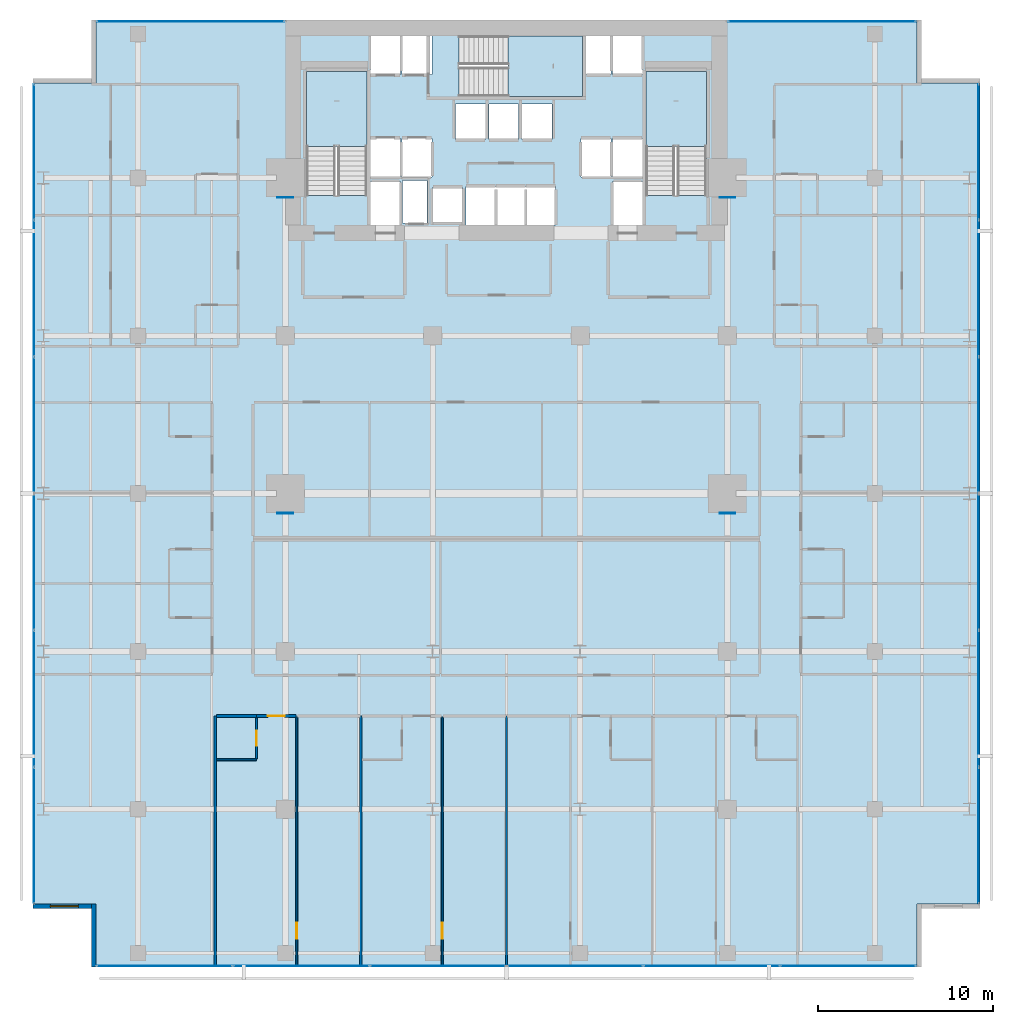
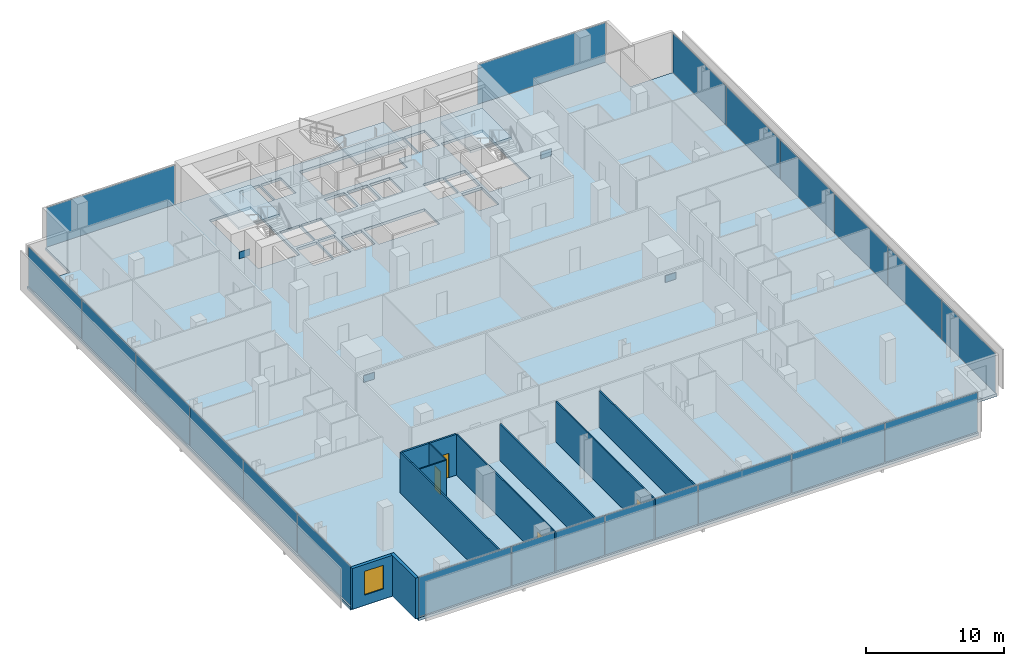
# One storey, part 32 of 40: 24 plates, 11 walls, 4 doors, 4 slabs, 1 window, 5 openings, 8 elements without a shape of their own.
"""IFC4 building model written with IfcOpenShell, lengths in metres."""

import ifcopenshell
import ifcopenshell.guid

model = None  # the IFC model being written
_history = None  # IfcOwnerHistory: only IFC2X3 demands one
_inside = {}  # id of a spatial element -> (the spatial element, [elements in it])
_under = {}  # id of a project, library or spatial element -> (it, [spatial elements below it])
_declared = {}  # id of a project -> (the project, [libraries it declares])
_typed = {}  # id of a type object -> (the type object, [elements of that type])
_made_of = {}  # id of a material, layer set ... -> (it, [elements and type objects made of it])


def new_model(schema):
    """Start an empty IFC model of exactly this schema.

    Asked for "IFC4X3", IfcOpenShell would pick the latest addendum, in which some entities
    have other attributes; the version numbers below select the first issue.
    IFC2X3 requires an IfcOwnerHistory on every rooted entity: one is made here for all.
    """
    global model, _history
    if schema == "IFC4X3":
        model = ifcopenshell.file(schema_version=(4, 3, 0, 0))
    else:
        model = ifcopenshell.file(schema=schema)
    _inside.clear()
    _under.clear()
    _declared.clear()
    _typed.clear()
    _made_of.clear()
    _history = None
    if model.schema == "IFC2X3":
        org = make("IfcOrganization", Name="unknown")
        user = make(
            "IfcPersonAndOrganization",
            ThePerson=make("IfcPerson", FamilyName="unknown"),
            TheOrganization=org,
        )
        app = make(
            "IfcApplication",
            ApplicationDeveloper=org,
            Version="unknown",
            ApplicationFullName="unknown",
            ApplicationIdentifier="unknown",
        )
        _history = make(
            "IfcOwnerHistory",
            OwningUser=user,
            OwningApplication=app,
            ChangeAction="ADDED",
            CreationDate=0,
        )
    return model


def make(cls, **values):
    """One entity of the class cls with the attributes given. An attribute that is None is left unset."""
    return model.create_entity(
        cls, **{name: value for name, value in values.items() if value is not None}
    )


def rooted(cls, **values):
    """An entity with a GlobalId (a new one), such as an element, a storey or a relation."""
    return make(cls, GlobalId=ifcopenshell.guid.new(), OwnerHistory=_history, **values)


def si_unit(unit_type, name, prefix=None):
    """IfcSIUnit, for example si_unit("LENGTHUNIT", "METRE", prefix="MILLI")."""
    return make("IfcSIUnit", UnitType=unit_type, Prefix=prefix, Name=name)


def assignment(units):
    """IfcUnitAssignment: the units of a project."""
    return None if units is None else make("IfcUnitAssignment", Units=units)


def point(xyz):
    """IfcCartesianPoint."""
    return None if xyz is None else make("IfcCartesianPoint", Coordinates=xyz)


def direction(xyz):
    """IfcDirection."""
    return None if xyz is None else make("IfcDirection", DirectionRatios=xyz)


def frame(location, z_axis=None, x_axis=None):
    """IfcAxis2Placement3D, a coordinate frame: its origin and axes. An axis left out is left unset."""
    return make(
        "IfcAxis2Placement3D",
        Location=point(location),
        Axis=direction(z_axis),
        RefDirection=direction(x_axis),
    )


def frame_2d(location, x_axis=None):
    """IfcAxis2Placement2D, a coordinate frame in the plane: its origin and x axis."""
    return make(
        "IfcAxis2Placement2D", Location=point(location), RefDirection=direction(x_axis)
    )


def origin():
    """The frame at (0, 0, 0) with its axes left unset."""
    return frame((0.0, 0.0, 0.0))


def origin_2d():
    """The frame at (0, 0) in the plane with its x axis left unset."""
    return frame_2d((0.0, 0.0))


def place(relative_to, where):
    """IfcLocalPlacement: puts the frame where relative to a parent placement (None: the world)."""
    return make(
        "IfcLocalPlacement", PlacementRelTo=relative_to, RelativePlacement=where
    )


def context(
    kind, dimensions, precision=None, world=None, true_north=None, identifier=None
):
    """IfcGeometricRepresentationContext, for example the 3D "Model" context."""
    return make(
        "IfcGeometricRepresentationContext",
        ContextIdentifier=identifier,
        ContextType=kind,
        CoordinateSpaceDimension=dimensions,
        Precision=precision,
        WorldCoordinateSystem=world,
        TrueNorth=true_north,
    )


def subcontext(parent, identifier, kind, view, scale=None):
    """IfcGeometricRepresentationSubContext, for example "Body" below "Model"."""
    return make(
        "IfcGeometricRepresentationSubContext",
        ContextIdentifier=identifier,
        ContextType=kind,
        ParentContext=parent,
        TargetScale=scale,
        TargetView=view,
    )


def project(units=None, contexts=None):
    """IfcProject with its units and contexts."""
    return rooted(
        "IfcProject",
        Name="project",
        RepresentationContexts=contexts,
        UnitsInContext=assignment(units),
    )


def spatial(cls, under=None, at=None, **own):
    """A site, building, storey or space (cls), placed at a placement, below another one or the project."""
    s = rooted(cls, ObjectPlacement=at, **own)
    if under is not None:
        _under.setdefault(under.id(), (under, []))[1].append(s)
    return s


def polyline(points):
    """IfcPolyline through the points."""
    return make("IfcPolyline", Points=[point(p) for p in points])


def profile(cls, at=None, kind="AREA", **sizes):
    """A parametric profile (cls). Its sizes go by their IFC names, for example OverallWidth=200.0."""
    return make(cls, ProfileType=kind, Position=at, **sizes)


def rectangle(**sizes):
    """IfcRectangleProfileDef."""
    return profile("IfcRectangleProfileDef", **sizes)


def outline(outer, holes=None, kind="AREA"):
    """IfcArbitraryClosedProfileDef: a profile drawn as a closed curve; with holes, ...WithVoids."""
    if holes is None:
        return make("IfcArbitraryClosedProfileDef", ProfileType=kind, OuterCurve=outer)
    return make(
        "IfcArbitraryProfileDefWithVoids",
        ProfileType=kind,
        OuterCurve=outer,
        InnerCurves=holes,
    )


def extrude(swept, where, along, depth):
    """IfcExtrudedAreaSolid: the profile swept, set in the frame where, extruded along a direction by depth."""
    return make(
        "IfcExtrudedAreaSolid",
        SweptArea=swept,
        Position=where,
        ExtrudedDirection=direction(along),
        Depth=depth,
    )


def shape(context_of_items, identifier, shape_type, items):
    """IfcShapeRepresentation: the items that make up one representation, for example the "Body"."""
    return make(
        "IfcShapeRepresentation",
        ContextOfItems=context_of_items,
        RepresentationIdentifier=identifier,
        RepresentationType=shape_type,
        Items=items,
    )


def material(Name=None, Category=None):
    """IfcMaterial."""
    return make("IfcMaterial", Name=Name, Category=Category)


def layer(
    of_material, thickness, ventilated=None, Name=None, Category=None, Priority=None
):
    """IfcMaterialLayer: one layer of a wall or slab, of a material (None: an air gap)."""
    return make(
        "IfcMaterialLayer",
        Material=of_material,
        LayerThickness=thickness,
        IsVentilated=ventilated,
        Name=Name,
        Category=Category,
        Priority=Priority,
    )


def layer_set(layers, Name=None):
    """IfcMaterialLayerSet."""
    return make("IfcMaterialLayerSet", MaterialLayers=layers, LayerSetName=Name)


def made_of(thing, what):
    """Note that an element or type object is made of a material, layer set ...; save() writes the relation."""
    if what is not None:
        _made_of.setdefault(what.id(), (what, []))[1].append(thing)
    return thing


def type_object(cls, material=None, **own):
    """A type object (cls), such as IfcWallType, which elements share."""
    return made_of(rooted(cls, **own), material)


def element(
    cls,
    number,
    at=None,
    inside=None,
    cuts=None,
    type_object=None,
    material=None,
    context=None,
    identifier="Body",
    shape_type=None,
    held_by="IfcProductDefinitionShape",
    body=None,
    shapes=None,
    **own,
):
    """One element of the class cls, such as IfcWall. Its Tag is "e" and its number.

    at: its placement. inside: the storey or other place that contains it. cuts: it is an
    opening in that element (IfcRelVoidsElement). A single representation is given by context,
    identifier, shape_type and body (its items); several are given by shapes. held_by: the class
    of the entity that holds the representations. save() writes the other relations.
    """
    e = rooted(cls, Tag="e%d" % number, ObjectPlacement=at, **own)
    if body is not None:
        shapes = [shape(context, identifier, shape_type, body)]
    if shapes is not None:
        e.Representation = make(held_by, Representations=shapes)
    if inside is not None:
        _inside.setdefault(inside.id(), (inside, []))[1].append(e)
    if cuts is not None:
        rooted(
            "IfcRelVoidsElement", RelatingBuildingElement=cuts, RelatedOpeningElement=e
        )
    if type_object is not None:
        _typed.setdefault(type_object.id(), (type_object, []))[1].append(e)
    return made_of(e, material)


def fill(opening, filler):
    """IfcRelFillsElement: the door or window that sits in an opening."""
    return rooted(
        "IfcRelFillsElement",
        RelatingOpeningElement=opening,
        RelatedBuildingElement=filler,
    )


def aggregate(whole, parts):
    """IfcRelAggregates: a whole, such as a stair, and the parts it consists of."""
    return rooted("IfcRelAggregates", RelatingObject=whole, RelatedObjects=parts)


def save(model, path):
    """Write the relations noted so far, then the file.

    IfcRelAggregates (storeys below a building ...), IfcRelContainedInSpatialStructure (elements
    in a storey), IfcRelDefinesByType, IfcRelAssociatesMaterial and IfcRelDeclares: one each for
    every whole, place, type object, material and project.
    """
    for whole, parts in _under.values():
        aggregate(whole, parts)
    for where, things in _inside.values():
        rooted(
            "IfcRelContainedInSpatialStructure",
            RelatedElements=things,
            RelatingStructure=where,
        )
    for kind, things in _typed.values():
        rooted("IfcRelDefinesByType", RelatedObjects=things, RelatingType=kind)
    for what, things in _made_of.values():
        rooted("IfcRelAssociatesMaterial", RelatedObjects=things, RelatingMaterial=what)
    for by, libraries in _declared.values():
        rooted("IfcRelDeclares", RelatingContext=by, RelatedDefinitions=libraries)
    model.write(path)


model = new_model("IFC4")

# Units and contexts
model_context = context("Model", 3, precision=1e-05, world=origin(), true_north=direction((0.0, 1.0)))
body_context = subcontext(model_context, "Body", "Model", "MODEL_VIEW")
ifc_project = project(units=[si_unit("LENGTHUNIT", "METRE"), si_unit("AREAUNIT", "SQUARE_METRE"), si_unit("VOLUMEUNIT", "CUBIC_METRE"), si_unit("PLANEANGLEUNIT", "RADIAN"), si_unit("MASSUNIT", "GRAM", prefix="KILO")], contexts=[model_context])

# Site, building, storey
site_placement = place(None, origin())
site = spatial("IfcSite", under=ifc_project, at=site_placement, CompositionType="ELEMENT")
building_placement = place(site_placement, origin())
building = spatial("IfcBuilding", under=site, at=building_placement, Name="Maruvema Waterfront Hotel and Observation Tower", CompositionType="ELEMENT")
storey_placement = place(building_placement, frame((0.0, 0.0, 42.35009765625)))
storey = spatial("IfcBuildingStorey", under=building, at=storey_placement, Name="L09", CompositionType="ELEMENT", Elevation=42.35009765625)

# Slab
ifc_material_1 = material(Name="Concrete C50/60", Category="concrete")
ifc_layer_1 = layer(ifc_material_1, 0.239990234375, Name="Reinforced Concrete Floor Slab 240 mm")
ifc_layer_set_1 = layer_set([ifc_layer_1], Name="Concrete C50/60")
slab_type_1 = type_object("IfcSlabType", Name="Reinforced Concrete Floor Slab 240 mm", PredefinedType="FLOOR", material=ifc_layer_set_1)
slab_1_placement = place(storey_placement, frame((0.0, 0.0, -0.239990234375)))
element("IfcSlab", 1, at=slab_1_placement, inside=storey, type_object=slab_type_1, Name="L09 Structural Floor Slab", PredefinedType="FLOOR", context=body_context, shape_type="SweptSolid", body=[
    extrude(outline(polyline([(14.39990234375, 0.0), (61.199951171875, 0.0), (61.199951171875, 3.60009765625), (64.800048828125, 3.60009765625), (64.800048828125, 50.39990234375), (61.199951171875, 50.39990234375), (61.199951171875, 54.0), (14.39990234375, 54.0), (14.39990234375, 50.39990234375), (10.800048828125, 50.39990234375), (10.800048828125, 3.60009765625), (14.39990234375, 3.60009765625), (14.39990234375, 0.0)]), holes=[polyline([(26.39990234375, 44.00048828125), (26.39990234375, 51.050048828125), (29.85009765625, 51.050048828125), (29.85009765625, 44.00048828125), (26.39990234375, 44.00048828125)]), polyline([(30.050048828125, 44.800048828125), (31.75, 44.800048828125), (31.75, 42.320068359375), (30.050048828125, 42.320068359375), (30.050048828125, 44.800048828125)]), polyline([(31.75, 47.25), (31.75, 45.050048828125), (30.050048828125, 45.050048828125), (30.050048828125, 47.25), (31.75, 47.25)]), polyline([(31.75, 53.10009765625), (31.75, 50.89990234375), (30.050048828125, 50.89990234375), (30.050048828125, 53.10009765625), (31.75, 53.10009765625)]), polyline([(33.280029296875, 44.860107421875), (33.280029296875, 42.43994140625), (31.8798828125, 42.43994140625), (31.8798828125, 44.860107421875), (33.280029296875, 44.860107421875)]), polyline([(31.85009765625, 47.25), (33.550048828125, 47.25), (33.550048828125, 45.050048828125), (31.85009765625, 45.050048828125), (31.85009765625, 47.25)]), polyline([(31.85009765625, 53.10009765625), (33.550048828125, 53.10009765625), (33.550048828125, 50.89990234375), (31.85009765625, 50.89990234375), (31.85009765625, 53.10009765625)]), polyline([(33.60009765625, 44.449951171875), (35.300048828125, 44.449951171875), (35.300048828125, 42.449951171875), (33.60009765625, 42.449951171875), (33.60009765625, 44.449951171875)]), polyline([(34.89990234375, 49.199951171875), (36.60009765625, 49.199951171875), (36.60009765625, 47.199951171875), (34.89990234375, 47.199951171875), (34.89990234375, 49.199951171875)]), polyline([(38.5, 49.199951171875), (38.5, 47.199951171875), (36.800048828125, 47.199951171875), (36.800048828125, 49.199951171875), (38.5, 49.199951171875)]), polyline([(35.5, 44.5), (40.60009765625, 44.5), (40.60009765625, 42.300048828125), (35.5, 42.300048828125), (35.5, 44.5)]), polyline([(43.75, 50.89990234375), (42.14990234375, 50.89990234375), (42.14990234375, 49.64990234375), (35.1005859375, 49.64990234375), (35.1005859375, 53.10009765625), (43.75, 53.10009765625), (43.75, 50.89990234375)]), polyline([(40.39990234375, 49.199951171875), (40.39990234375, 47.199951171875), (38.699951171875, 47.199951171875), (38.699951171875, 49.199951171875), (40.39990234375, 49.199951171875)]), polyline([(43.75, 47.25), (43.75, 45.050048828125), (42.050048828125, 45.050048828125), (42.050048828125, 47.25), (43.75, 47.25)]), polyline([(45.550048828125, 44.800048828125), (45.550048828125, 42.320068359375), (43.85009765625, 42.320068359375), (43.85009765625, 44.800048828125), (45.550048828125, 44.800048828125)]), polyline([(43.85009765625, 47.25), (45.550048828125, 47.25), (45.550048828125, 45.050048828125), (43.85009765625, 45.050048828125), (43.85009765625, 47.25)]), polyline([(45.550048828125, 53.10009765625), (45.550048828125, 50.89990234375), (43.85009765625, 50.89990234375), (43.85009765625, 53.10009765625), (45.550048828125, 53.10009765625)]), polyline([(45.75, 51.050048828125), (49.199951171875, 51.050048828125), (49.199951171875, 44.00048828125), (45.75, 44.00048828125), (45.75, 51.050048828125)])]), origin(), (0.0, 0.0, 1.0), 0.239990234375),
])

# Curtain wall, plates
ifc_material_2 = material(Name="Anodised bronze aluminium and solar-control low-E IGU", Category="aluminium")
ifc_layer_2 = layer(ifc_material_2, 0.159912109375, Name="Zone 1 Bronze Inner Thermal Curtain Wall System CW-02")
ifc_layer_set_2 = layer_set([ifc_layer_2], Name="Anodised bronze aluminium and solar-control low-E IGU")
curtain_wall_type = type_object("IfcCurtainWallType", Name="Zone 1 Bronze Inner Thermal Curtain Wall System CW-02", PredefinedType="USERDEFINED", material=ifc_layer_set_2)
curtain_wall_1_placement = place(storey_placement, origin())
curtain_wall_1 = element("IfcCurtainWall", 2, at=curtain_wall_1_placement, inside=storey, type_object=curtain_wall_type, Name="L09 Curtain Wall CW-L09-S", ObjectType="UNITISED CURTAIN WALL", PredefinedType="USERDEFINED")
ifc_material_3 = material(Name="Laminated low-E solar-control double glazing", Category="glass")
ifc_layer_3 = layer(ifc_material_3, 0.035888671875, Name="Solar Control Double-Glazed Curtain Panel 36 mm")
ifc_layer_set_3 = layer_set([ifc_layer_3], Name="Laminated low-E solar-control double glazing")
plate_type_1 = type_object("IfcPlateType", Name="Solar Control Double-Glazed Curtain Panel 36 mm", PredefinedType="CURTAIN_PANEL", material=ifc_layer_set_3)
plate_1_placement = place(storey_placement, frame((18.31494140625, 0.080078125, 0.06005859375), z_axis=(0.0, 0.0, 1.0), x_axis=(1.0, 0.0, 0.0)))
plate_1 = element("IfcPlate", 3, at=plate_1_placement, type_object=plate_type_1, Name="CW-02 panel 1.1", PredefinedType="CURTAIN_PANEL", context=body_context, shape_type="SweptSolid", body=[
    extrude(rectangle(XDim=7.7099609375, YDim=0.028076171875, at=origin_2d()), origin(), (0.0, 0.0, 1.0), 3.489990234375),
])
plate_2_placement = place(storey_placement, frame((26.10009765625, 0.080078125, 0.06005859375), z_axis=(0.0, 0.0, 1.0), x_axis=(1.0, 0.0, 0.0)))
plate_2 = element("IfcPlate", 4, at=plate_2_placement, type_object=plate_type_1, Name="CW-02 panel 2.1", PredefinedType="CURTAIN_PANEL", context=body_context, shape_type="SweptSolid", body=[
    extrude(rectangle(XDim=7.739990234375, YDim=0.028076171875, at=origin_2d()), origin(), (0.0, 0.0, 1.0), 3.489990234375),
])
plate_3_placement = place(storey_placement, frame((33.89990234375, 0.080078125, 0.06005859375), z_axis=(0.0, 0.0, 1.0), x_axis=(1.0, 0.0, 0.0)))
plate_3 = element("IfcPlate", 5, at=plate_3_placement, type_object=plate_type_1, Name="CW-02 panel 3.1", PredefinedType="CURTAIN_PANEL", context=body_context, shape_type="SweptSolid", body=[
    extrude(rectangle(XDim=7.739990234375, YDim=0.028076171875, at=origin_2d()), origin(), (0.0, 0.0, 1.0), 3.489990234375),
])
plate_4_placement = place(storey_placement, frame((41.699951171875, 0.080078125, 0.06005859375), z_axis=(0.0, 0.0, 1.0), x_axis=(1.0, 0.0, 0.0)))
plate_4 = element("IfcPlate", 6, at=plate_4_placement, type_object=plate_type_1, Name="CW-02 panel 4.1", PredefinedType="CURTAIN_PANEL", context=body_context, shape_type="SweptSolid", body=[
    extrude(rectangle(XDim=7.739990234375, YDim=0.028076171875, at=origin_2d()), origin(), (0.0, 0.0, 1.0), 3.489990234375),
])
plate_5_placement = place(storey_placement, frame((49.5, 0.080078125, 0.06005859375), z_axis=(0.0, 0.0, 1.0), x_axis=(1.0, 0.0, 0.0)))
plate_5 = element("IfcPlate", 7, at=plate_5_placement, type_object=plate_type_1, Name="CW-02 panel 5.1", PredefinedType="CURTAIN_PANEL", context=body_context, shape_type="SweptSolid", body=[
    extrude(rectangle(XDim=7.739990234375, YDim=0.028076171875, at=origin_2d()), origin(), (0.0, 0.0, 1.0), 3.489990234375),
])
plate_6_placement = place(storey_placement, frame((57.284912109375, 0.080078125, 0.06005859375), z_axis=(0.0, 0.0, 1.0), x_axis=(1.0, 0.0, 0.0)))
plate_6 = element("IfcPlate", 8, at=plate_6_placement, type_object=plate_type_1, Name="CW-02 panel 6.1", PredefinedType="CURTAIN_PANEL", context=body_context, shape_type="SweptSolid", body=[
    extrude(rectangle(XDim=7.7099609375, YDim=0.028076171875, at=origin_2d()), origin(), (0.0, 0.0, 1.0), 3.489990234375),
])
aggregate(curtain_wall_1, [plate_1, plate_2, plate_3, plate_4, plate_5, plate_6])

curtain_wall_2_placement = place(storey_placement, origin())
curtain_wall_2 = element("IfcCurtainWall", 9, at=curtain_wall_2_placement, inside=storey, type_object=curtain_wall_type, Name="L09 Curtain Wall CW-L09-E", ObjectType="UNITISED CURTAIN WALL", PredefinedType="USERDEFINED")
plate_7_placement = place(storey_placement, frame((64.719970703125, 7.514892578125, 0.06005859375), z_axis=(0.0, 0.0, 1.0), x_axis=(0.0, 1.0, 0.0)))
plate_7 = element("IfcPlate", 10, at=plate_7_placement, type_object=plate_type_1, Name="CW-02 panel 1.1", PredefinedType="CURTAIN_PANEL", context=body_context, shape_type="SweptSolid", body=[
    extrude(rectangle(XDim=7.7099609375, YDim=0.028076171875, at=origin_2d()), origin(), (0.0, 0.0, 1.0), 3.489990234375),
])
plate_8_placement = place(storey_placement, frame((64.719970703125, 15.300048828125, 0.06005859375), z_axis=(0.0, 0.0, 1.0), x_axis=(0.0, 1.0, 0.0)))
plate_8 = element("IfcPlate", 11, at=plate_8_placement, type_object=plate_type_1, Name="CW-02 panel 2.1", PredefinedType="CURTAIN_PANEL", context=body_context, shape_type="SweptSolid", body=[
    extrude(rectangle(XDim=7.739990234375, YDim=0.028076171875, at=origin_2d()), origin(), (0.0, 0.0, 1.0), 3.489990234375),
])
plate_9_placement = place(storey_placement, frame((64.719970703125, 23.10009765625, 0.06005859375), z_axis=(0.0, 0.0, 1.0), x_axis=(0.0, 1.0, 0.0)))
plate_9 = element("IfcPlate", 12, at=plate_9_placement, type_object=plate_type_1, Name="CW-02 panel 3.1", PredefinedType="CURTAIN_PANEL", context=body_context, shape_type="SweptSolid", body=[
    extrude(rectangle(XDim=7.739990234375, YDim=0.028076171875, at=origin_2d()), origin(), (0.0, 0.0, 1.0), 3.489990234375),
])
plate_10_placement = place(storey_placement, frame((64.719970703125, 30.89990234375, 0.06005859375), z_axis=(0.0, 0.0, 1.0), x_axis=(0.0, 1.0, 0.0)))
plate_10 = element("IfcPlate", 13, at=plate_10_placement, type_object=plate_type_1, Name="CW-02 panel 4.1", PredefinedType="CURTAIN_PANEL", context=body_context, shape_type="SweptSolid", body=[
    extrude(rectangle(XDim=7.739990234375, YDim=0.028076171875, at=origin_2d()), origin(), (0.0, 0.0, 1.0), 3.489990234375),
])
plate_11_placement = place(storey_placement, frame((64.719970703125, 38.699951171875, 0.06005859375), z_axis=(0.0, 0.0, 1.0), x_axis=(0.0, 1.0, 0.0)))
plate_11 = element("IfcPlate", 14, at=plate_11_placement, type_object=plate_type_1, Name="CW-02 panel 5.1", PredefinedType="CURTAIN_PANEL", context=body_context, shape_type="SweptSolid", body=[
    extrude(rectangle(XDim=7.739990234375, YDim=0.028076171875, at=origin_2d()), origin(), (0.0, 0.0, 1.0), 3.489990234375),
])
plate_12_placement = place(storey_placement, frame((64.719970703125, 46.485107421875, 0.06005859375), z_axis=(0.0, 0.0, 1.0), x_axis=(0.0, 1.0, 0.0)))
plate_12 = element("IfcPlate", 15, at=plate_12_placement, type_object=plate_type_1, Name="CW-02 panel 6.1", PredefinedType="CURTAIN_PANEL", context=body_context, shape_type="SweptSolid", body=[
    extrude(rectangle(XDim=7.7099609375, YDim=0.028076171875, at=origin_2d()), origin(), (0.0, 0.0, 1.0), 3.489990234375),
])
aggregate(curtain_wall_2, [plate_7, plate_8, plate_9, plate_10, plate_11, plate_12])

curtain_wall_3_placement = place(storey_placement, origin())
curtain_wall_3 = element("IfcCurtainWall", 16, at=curtain_wall_3_placement, inside=storey, type_object=curtain_wall_type, Name="L09 Curtain Wall CW-L09-W", ObjectType="UNITISED CURTAIN WALL", PredefinedType="USERDEFINED")
plate_13_placement = place(storey_placement, frame((10.8798828125, 46.485107421875, 0.06005859375), z_axis=(0.0, 0.0, 1.0), x_axis=(0.0, -1.0, 0.0)))
plate_13 = element("IfcPlate", 17, at=plate_13_placement, type_object=plate_type_1, Name="CW-02 panel 1.1", PredefinedType="CURTAIN_PANEL", context=body_context, shape_type="SweptSolid", body=[
    extrude(rectangle(XDim=7.7099609375, YDim=0.028076171875, at=origin_2d()), origin(), (0.0, 0.0, 1.0), 3.489990234375),
])
plate_14_placement = place(storey_placement, frame((10.8798828125, 38.699951171875, 0.06005859375), z_axis=(0.0, 0.0, 1.0), x_axis=(0.0, -1.0, 0.0)))
plate_14 = element("IfcPlate", 18, at=plate_14_placement, type_object=plate_type_1, Name="CW-02 panel 2.1", PredefinedType="CURTAIN_PANEL", context=body_context, shape_type="SweptSolid", body=[
    extrude(rectangle(XDim=7.739990234375, YDim=0.028076171875, at=origin_2d()), origin(), (0.0, 0.0, 1.0), 3.489990234375),
])
plate_15_placement = place(storey_placement, frame((10.8798828125, 30.89990234375, 0.06005859375), z_axis=(0.0, 0.0, 1.0), x_axis=(0.0, -1.0, 0.0)))
plate_15 = element("IfcPlate", 19, at=plate_15_placement, type_object=plate_type_1, Name="CW-02 panel 3.1", PredefinedType="CURTAIN_PANEL", context=body_context, shape_type="SweptSolid", body=[
    extrude(rectangle(XDim=7.739990234375, YDim=0.028076171875, at=origin_2d()), origin(), (0.0, 0.0, 1.0), 3.489990234375),
])
plate_16_placement = place(storey_placement, frame((10.8798828125, 23.10009765625, 0.06005859375), z_axis=(0.0, 0.0, 1.0), x_axis=(0.0, -1.0, 0.0)))
plate_16 = element("IfcPlate", 20, at=plate_16_placement, type_object=plate_type_1, Name="CW-02 panel 4.1", PredefinedType="CURTAIN_PANEL", context=body_context, shape_type="SweptSolid", body=[
    extrude(rectangle(XDim=7.739990234375, YDim=0.028076171875, at=origin_2d()), origin(), (0.0, 0.0, 1.0), 3.489990234375),
])
plate_17_placement = place(storey_placement, frame((10.8798828125, 15.300048828125, 0.06005859375), z_axis=(0.0, 0.0, 1.0), x_axis=(0.0, -1.0, 0.0)))
plate_17 = element("IfcPlate", 21, at=plate_17_placement, type_object=plate_type_1, Name="CW-02 panel 5.1", PredefinedType="CURTAIN_PANEL", context=body_context, shape_type="SweptSolid", body=[
    extrude(rectangle(XDim=7.739990234375, YDim=0.028076171875, at=origin_2d()), origin(), (0.0, 0.0, 1.0), 3.489990234375),
])
plate_18_placement = place(storey_placement, frame((10.8798828125, 7.514892578125, 0.06005859375), z_axis=(0.0, 0.0, 1.0), x_axis=(0.0, -1.0, 0.0)))
plate_18 = element("IfcPlate", 22, at=plate_18_placement, type_object=plate_type_1, Name="CW-02 panel 6.1", PredefinedType="CURTAIN_PANEL", context=body_context, shape_type="SweptSolid", body=[
    extrude(rectangle(XDim=7.7099609375, YDim=0.028076171875, at=origin_2d()), origin(), (0.0, 0.0, 1.0), 3.489990234375),
])
aggregate(curtain_wall_3, [plate_13, plate_14, plate_15, plate_16, plate_17, plate_18])

# Curtain wall, plate
curtain_wall_4_placement = place(storey_placement, origin())
curtain_wall_4 = element("IfcCurtainWall", 23, at=curtain_wall_4_placement, inside=storey, type_object=curtain_wall_type, Name="L09 Curtain Wall CW-L09-NW", ObjectType="UNITISED CURTAIN WALL", PredefinedType="USERDEFINED")
plate_19_placement = place(storey_placement, frame((19.800048828125, 53.919921875, 0.06005859375), z_axis=(0.0, 0.0, 1.0), x_axis=(-1.0, 0.0, 0.0)))
plate_19 = element("IfcPlate", 24, at=plate_19_placement, type_object=plate_type_1, Name="CW-02 panel 1.1", PredefinedType="CURTAIN_PANEL", context=body_context, shape_type="SweptSolid", body=[
    extrude(rectangle(XDim=10.679931640625, YDim=0.028076171875, at=origin_2d()), origin(), (0.0, 0.0, 1.0), 3.489990234375),
])
aggregate(curtain_wall_4, [plate_19])

curtain_wall_5_placement = place(storey_placement, origin())
curtain_wall_5 = element("IfcCurtainWall", 25, at=curtain_wall_5_placement, inside=storey, type_object=curtain_wall_type, Name="L09 Curtain Wall CW-L09-NE", ObjectType="UNITISED CURTAIN WALL", PredefinedType="USERDEFINED")
plate_20_placement = place(storey_placement, frame((55.800048828125, 53.919921875, 0.06005859375), z_axis=(0.0, 0.0, 1.0), x_axis=(-1.0, 0.0, 0.0)))
plate_20 = element("IfcPlate", 26, at=plate_20_placement, type_object=plate_type_1, Name="CW-02 panel 1.1", PredefinedType="CURTAIN_PANEL", context=body_context, shape_type="SweptSolid", body=[
    extrude(rectangle(XDim=10.679931640625, YDim=0.028076171875, at=origin_2d()), origin(), (0.0, 0.0, 1.0), 3.489990234375),
])
aggregate(curtain_wall_5, [plate_20])

# Stair, slab
ifc_material_4 = material(Name="Concrete C50/60", Category="concrete")
stair_type = type_object("IfcStairType", Name="Dogleg Exit Stair 1650 mm (22R x 175.0 mm)", PredefinedType="HALF_TURN_STAIR", material=ifc_material_4)
stair_1_placement = place(storey_placement, origin())
stair_1 = element("IfcStair", 27, at=stair_1_placement, inside=storey, type_object=stair_type, Name="L09 ST-01", PredefinedType="HALF_TURN_STAIR")
ifc_material_5 = material(Name="Concrete C50/60", Category="concrete")
ifc_layer_4 = layer(ifc_material_5, 0.219970703125, Name="Stair Concrete Landing Slab 220 mm")
ifc_layer_set_4 = layer_set([ifc_layer_4], Name="Concrete C50/60")
slab_type_2 = type_object("IfcSlabType", Name="Stair Concrete Landing Slab 220 mm", PredefinedType="LANDING", material=ifc_layer_set_4)
slab_2_placement = place(storey_placement, frame((0.0, 0.0, 1.704833984375)))
slab_2 = element("IfcSlab", 28, at=slab_2_placement, type_object=slab_type_2, Name="ST-01 landing 1", PredefinedType="LANDING", context=body_context, shape_type="SweptSolid", body=[
    extrude(outline(polyline([(29.85009765625, 46.800048828125), (29.85009765625, 51.050048828125), (26.39990234375, 51.050048828125), (26.39990234375, 46.800048828125), (29.85009765625, 46.800048828125)])), origin(), (0.0, 0.0, 1.0), 0.219970703125),
])
aggregate(stair_1, [slab_2])

stair_2_placement = place(storey_placement, origin())
stair_2 = element("IfcStair", 29, at=stair_2_placement, inside=storey, type_object=stair_type, Name="L09 ST-02", PredefinedType="HALF_TURN_STAIR")
slab_3_placement = place(storey_placement, frame((0.0, 0.0, 1.704833984375)))
slab_3 = element("IfcSlab", 30, at=slab_3_placement, type_object=slab_type_2, Name="ST-02 landing 1", PredefinedType="LANDING", context=body_context, shape_type="SweptSolid", body=[
    extrude(outline(polyline([(37.89990234375, 49.64990234375), (42.14990234375, 49.64990234375), (42.14990234375, 53.10009765625), (37.89990234375, 53.10009765625), (37.89990234375, 49.64990234375)])), origin(), (0.0, 0.0, 1.0), 0.219970703125),
])
aggregate(stair_2, [slab_3])

stair_3_placement = place(storey_placement, origin())
stair_3 = element("IfcStair", 31, at=stair_3_placement, inside=storey, type_object=stair_type, Name="L09 ST-03", PredefinedType="HALF_TURN_STAIR")
slab_4_placement = place(storey_placement, frame((0.0, 0.0, 1.704833984375)))
slab_4 = element("IfcSlab", 32, at=slab_4_placement, type_object=slab_type_2, Name="ST-03 landing 1", PredefinedType="LANDING", context=body_context, shape_type="SweptSolid", body=[
    extrude(outline(polyline([(49.199951171875, 46.800048828125), (49.199951171875, 51.050048828125), (45.75, 51.050048828125), (45.75, 46.800048828125), (49.199951171875, 46.800048828125)])), origin(), (0.0, 0.0, 1.0), 0.219970703125),
])
aggregate(stair_3, [slab_4])

# Plates
ifc_material_6 = material(Name="Steel ABNT NBR 7007 AR 415 (ASTM A572 Grade 50)", Category="steel")
ifc_layer_5 = layer(ifc_material_6, 0.0400390625, Name="Structural Truss Node Gusset Plate 40 mm")
ifc_layer_set_5 = layer_set([ifc_layer_5], Name="Steel ABNT NBR 7007 AR 415 (ASTM A572 Grade 50)")
plate_type_2 = type_object("IfcPlateType", Name="Structural Truss Node Gusset Plate 40 mm", PredefinedType="USERDEFINED", material=ifc_layer_set_5)
for number, where, z_axis, x_axis, name in (
    (33, (25.199951171875, 25.8798828125, 1.499755859375), (0.0, 0.0, 1.0), (1.0, 0.0, 0.0), "L09 MC-01 Moment Frame Continuity Gusset Plate"),
    (34, (50.39990234375, 25.8798828125, 1.499755859375), (0.0, 0.0, 1.0), (1.0, 0.0, 0.0), "L09 MC-02 Moment Frame Continuity Gusset Plate"),
    (35, (25.199951171875, 43.8798828125, 1.499755859375), (0.0, 0.0, 1.0), (1.0, 0.0, 0.0), "L09 MC-03 Moment Frame Continuity Gusset Plate"),
    (36, (50.39990234375, 43.8798828125, 1.499755859375), (0.0, 0.0, 1.0), (1.0, 0.0, 0.0), "L09 MC-04 Moment Frame Continuity Gusset Plate"),
):
    element("IfcPlate", number, at=place(storey_placement, frame(where, z_axis=z_axis, x_axis=x_axis)), inside=storey, type_object=plate_type_2, Name=name, ObjectType="GUSSET_PLATE", PredefinedType="USERDEFINED", context=body_context, shape_type="SweptSolid", body=[
        extrude(rectangle(XDim=0.89990234375, YDim=0.0400390625, at=origin_2d()), origin(), (0.0, 0.0, 1.0), 0.60009765625),
    ])

# Wall
ifc_material_7 = material(Name="Twin-stud acoustic gypsum drywall", Category="gypsum")
ifc_layer_6 = layer(ifc_material_7, 0.14990234375, Name="Acoustic Corridor and Suite Demising Wall 150 mm")
ifc_layer_set_6 = layer_set([ifc_layer_6], Name="Twin-stud acoustic gypsum drywall")
wall_type_1 = type_object("IfcWallType", Name="Acoustic Corridor and Suite Demising Wall 150 mm", PredefinedType="PARTITIONING", material=ifc_layer_set_6)
wall_1_placement = place(storey_placement, frame((21.280029296875, 14.320068359375, 0.0), z_axis=(0.0, 0.0, 1.0), x_axis=(1.0, 0.0, 0.0)))
element("IfcWall", 37, at=wall_1_placement, inside=storey, type_object=wall_type_1, Name="L09 Bath L09-S1 Back Wall 032", PredefinedType="PARTITIONING", context=body_context, shape_type="SweptSolid", body=[
    extrude(rectangle(XDim=2.27001953125, YDim=0.14990234375, at=frame_2d((1.135009765625, 0.0))), origin(), (0.0, 0.0, 1.0), 3.60986328125),
])

# Wall, opening, door
wall_2_placement = place(storey_placement, frame((23.550048828125, 14.320068359375, 0.0), z_axis=(0.0, 0.0, 1.0), x_axis=(1.0, 0.0, 0.0)))
wall_2 = element("IfcWall", 38, at=wall_2_placement, inside=storey, type_object=wall_type_1, Name="L09 Unit L09-S1 Corridor Wall 035", PredefinedType="PARTITIONING", context=body_context, shape_type="SweptSolid", body=[
    extrude(rectangle(XDim=2.258056640625, YDim=0.14990234375, at=frame_2d((1.12890625, 0.0))), origin(), (0.0, 0.0, 1.0), 3.60986328125),
])
opening_1_placement = place(wall_2_placement, frame((0.654052734375, 0.0, 0.0)))
opening_1 = element("IfcOpeningElement", 39, at=opening_1_placement, cuts=wall_2, Name="Opening DR-095", PredefinedType="OPENING", context=body_context, shape_type="SweptSolid", body=[
    extrude(rectangle(XDim=0.949951171875, YDim=2.14990234375, at=frame_2d((0.47509765625, 1.074951171875))), frame((0.0, 0.0849609375, 0.0), z_axis=(0.0, -1.0, 0.0), x_axis=(1.0, 0.0, 0.0)), (0.0, 0.0, 1.0), 0.169921875),
])
ifc_material_8 = material(Name="Acoustic solid-core hardwood timber leaf", Category="wood")
door_type_1 = type_object("IfcDoorType", Name="Guestroom Entrance Fire Door 950x2150 mm", OperationType="NOTDEFINED", PredefinedType="DOOR", material=ifc_material_8)
door_1_placement = place(opening_1_placement, frame((0.949951171875, 0.0, 0.0), z_axis=(0.0, 0.0, 1.0), x_axis=(-1.0, 0.0, 0.0)))
door_1 = element("IfcDoor", 40, at=door_1_placement, inside=storey, type_object=door_type_1, Name="L09 Unit L09-S1 Entrance Door", OperationType="SINGLE_SWING_RIGHT", OverallHeight=2.14990234375, OverallWidth=0.949951171875, PredefinedType="DOOR", context=body_context, shape_type="SweptSolid", body=[
    extrude(rectangle(XDim=0.949951171875, YDim=2.14990234375, at=frame_2d((0.47509765625, 1.074951171875))), frame((0.0, 0.02490234375, 0.0), z_axis=(0.0, -1.0, 0.0), x_axis=(1.0, 0.0, 0.0)), (0.0, 0.0, 1.0), 0.050048828125),
])
fill(opening_1, door_1)

# Wall
ifc_material_9 = material(Name="Moisture-resistant cement-board drywall", Category="gypsum")
ifc_layer_7 = layer(ifc_material_9, 0.10009765625, Name="En-Suite Moisture-Resistant Partition 100 mm")
ifc_layer_set_7 = layer_set([ifc_layer_7], Name="Moisture-resistant cement-board drywall")
wall_type_2 = type_object("IfcWallType", Name="En-Suite Moisture-Resistant Partition 100 mm", PredefinedType="PARTITIONING", material=ifc_layer_set_7)
wall_3_placement = place(storey_placement, frame((21.280029296875, 11.820068359375, 0.0), z_axis=(0.0, 0.0, 1.0), x_axis=(1.0, 0.0, 0.0)))
element("IfcWall", 41, at=wall_3_placement, inside=storey, type_object=wall_type_2, Name="L09 En-Suite L09-S1 South 033", PredefinedType="PARTITIONING", context=body_context, shape_type="SweptSolid", body=[
    extrude(rectangle(XDim=2.27001953125, YDim=0.10009765625, at=frame_2d((1.135009765625, 0.0))), origin(), (0.0, 0.0, 1.0), 3.60986328125),
])

# Wall, opening, door
wall_4_placement = place(storey_placement, frame((23.550048828125, 11.8798828125, 0.0), z_axis=(0.0, 0.0, 1.0), x_axis=(0.0, 1.0, 0.0)))
wall_4 = element("IfcWall", 42, at=wall_4_placement, inside=storey, type_object=wall_type_2, Name="L09 En-Suite L09-S1 East 034", PredefinedType="PARTITIONING", context=body_context, shape_type="SweptSolid", body=[
    extrude(rectangle(XDim=2.340087890625, YDim=0.10009765625, at=frame_2d((1.169921875, 0.0))), origin(), (0.0, 0.0, 1.0), 3.60986328125),
])
opening_2_placement = place(wall_4_placement, frame((0.7451171875, 0.0, 0.0)))
opening_2 = element("IfcOpeningElement", 43, at=opening_2_placement, cuts=wall_4, Name="Opening DR-085", PredefinedType="OPENING", context=body_context, shape_type="SweptSolid", body=[
    extrude(rectangle(XDim=0.85009765625, YDim=2.10009765625, at=frame_2d((0.425048828125, 1.050048828125))), frame((0.0, 0.06005859375, 0.0), z_axis=(0.0, -1.0, 0.0), x_axis=(1.0, 0.0, 0.0)), (0.0, 0.0, 1.0), 0.1201171875),
])
ifc_material_10 = material(Name="Moisture-resistant solid timber leaf", Category="wood")
door_type_2 = type_object("IfcDoorType", Name="En-Suite Bathroom Door 850x2100 mm", OperationType="NOTDEFINED", PredefinedType="DOOR", material=ifc_material_10)
door_2_placement = place(opening_2_placement, frame((0.85009765625, 0.0, 0.0), z_axis=(0.0, 0.0, 1.0), x_axis=(-1.0, 0.0, 0.0)))
door_2 = element("IfcDoor", 44, at=door_2_placement, inside=storey, type_object=door_type_2, Name="L09 En-Suite L09-S1 Door", OperationType="SINGLE_SWING_LEFT", OverallHeight=2.10009765625, OverallWidth=0.85009765625, PredefinedType="DOOR", context=body_context, shape_type="SweptSolid", body=[
    extrude(rectangle(XDim=0.85009765625, YDim=2.10009765625, at=frame_2d((0.425048828125, 1.050048828125))), frame((0.0, 0.02490234375, 0.0), z_axis=(0.0, -1.0, 0.0), x_axis=(1.0, 0.0, 0.0)), (0.0, 0.0, 1.0), 0.050048828125),
])
fill(opening_2, door_2)

wall_5_placement = place(storey_placement, frame((25.847900390625, 0.030029296875, 0.0), z_axis=(0.0, 0.0, 1.0), x_axis=(0.0, 1.0, 0.0)))
wall_5 = element("IfcWall", 45, at=wall_5_placement, inside=storey, type_object=wall_type_2, Name="L09 Suite L09-S1 Split 037", PredefinedType="PARTITIONING", context=body_context, shape_type="SweptSolid", body=[
    extrude(rectangle(XDim=14.22998046875, YDim=0.10009765625, at=frame_2d((7.114990234375, 0.0))), origin(), (0.0, 0.0, 1.0), 3.60986328125),
])
opening_3_placement = place(wall_5_placement, frame((1.60009765625, 0.0, 0.0)))
opening_3 = element("IfcOpeningElement", 46, at=opening_3_placement, cuts=wall_5, Name="Opening DR-090", PredefinedType="OPENING", context=body_context, shape_type="SweptSolid", body=[
    extrude(rectangle(XDim=0.89990234375, YDim=2.10009765625, at=frame_2d((0.449951171875, 1.050048828125))), frame((0.0, 0.06005859375, 0.0), z_axis=(0.0, -1.0, 0.0), x_axis=(1.0, 0.0, 0.0)), (0.0, 0.0, 1.0), 0.1201171875),
])
ifc_material_11 = material(Name="Solid-core lacquered timber leaf", Category="wood")
door_type_3 = type_object("IfcDoorType", Name="Accessible Toilet and Room Door 900x2100 mm", OperationType="NOTDEFINED", PredefinedType="DOOR", material=ifc_material_11)
door_3_placement = place(opening_3_placement, origin())
door_3 = element("IfcDoor", 47, at=door_3_placement, inside=storey, type_object=door_type_3, Name="L09 Suite L09-S1 Bedroom Door", OperationType="SINGLE_SWING_LEFT", OverallHeight=2.10009765625, OverallWidth=0.89990234375, PredefinedType="DOOR", context=body_context, shape_type="SweptSolid", body=[
    extrude(rectangle(XDim=0.89990234375, YDim=2.10009765625, at=frame_2d((0.449951171875, 1.050048828125))), frame((0.0, 0.02490234375, 0.0), z_axis=(0.0, -1.0, 0.0), x_axis=(1.0, 0.0, 0.0)), (0.0, 0.0, 1.0), 0.050048828125),
])
fill(opening_3, door_3)

wall_6_placement = place(storey_placement, frame((34.14794921875, 0.030029296875, 0.0), z_axis=(0.0, 0.0, 1.0), x_axis=(0.0, 1.0, 0.0)))
wall_6 = element("IfcWall", 48, at=wall_6_placement, inside=storey, type_object=wall_type_2, Name="L09 Suite L09-S2 Split 044", PredefinedType="PARTITIONING", context=body_context, shape_type="SweptSolid", body=[
    extrude(rectangle(XDim=14.22998046875, YDim=0.10009765625, at=frame_2d((7.114990234375, 0.0))), origin(), (0.0, 0.0, 1.0), 3.60986328125),
])
opening_4_placement = place(wall_6_placement, frame((1.60009765625, 0.0, 0.0)))
opening_4 = element("IfcOpeningElement", 49, at=opening_4_placement, cuts=wall_6, Name="Opening DR-090", PredefinedType="OPENING", context=body_context, shape_type="SweptSolid", body=[
    extrude(rectangle(XDim=0.89990234375, YDim=2.10009765625, at=frame_2d((0.449951171875, 1.050048828125))), frame((0.0, 0.06005859375, 0.0), z_axis=(0.0, -1.0, 0.0), x_axis=(1.0, 0.0, 0.0)), (0.0, 0.0, 1.0), 0.1201171875),
])
door_4_placement = place(opening_4_placement, origin())
door_4 = element("IfcDoor", 50, at=door_4_placement, inside=storey, type_object=door_type_3, Name="L09 Suite L09-S2 Bedroom Door", OperationType="SINGLE_SWING_RIGHT", OverallHeight=2.10009765625, OverallWidth=0.89990234375, PredefinedType="DOOR", context=body_context, shape_type="SweptSolid", body=[
    extrude(rectangle(XDim=0.89990234375, YDim=2.10009765625, at=frame_2d((0.449951171875, 1.050048828125))), frame((0.0, 0.02490234375, 0.0), z_axis=(0.0, -1.0, 0.0), x_axis=(1.0, 0.0, 0.0)), (0.0, 0.0, 1.0), 0.050048828125),
])
fill(opening_4, door_4)

# Wall
ifc_material_12 = material(Name="Precast concrete C45/55 with honed Pernambuco granite facing", Category="masonry")
ifc_layer_8 = layer(ifc_material_12, 0.260009765625, Name="Exterior Granite Clad Spandrel and Pier Wall 260 mm")
ifc_layer_set_8 = layer_set([ifc_layer_8], Name="Precast concrete C45/55 with honed Pernambuco granite facing")
wall_type_3 = type_object("IfcWallType", Name="Exterior Granite Clad Spandrel and Pier Wall 260 mm", PredefinedType="SOLIDWALL", material=ifc_layer_set_8)
wall_7_placement = place(storey_placement, frame((14.27001953125, 0.0, 0.0), z_axis=(0.0, 0.0, 1.0), x_axis=(0.0, 1.0, 0.0)))
element("IfcWall", 51, at=wall_7_placement, inside=storey, type_object=wall_type_3, Name="L09 Corner Notch Granite Pier Wall SW1", PredefinedType="SOLIDWALL", context=body_context, shape_type="SweptSolid", body=[
    extrude(rectangle(XDim=3.60009765625, YDim=0.260009765625, at=frame_2d((1.800048828125, 0.0))), origin(), (0.0, 0.0, 1.0), 3.60986328125),
])

# Wall, opening, window
wall_8_placement = place(storey_placement, frame((14.39990234375, 3.469970703125, 0.0), z_axis=(0.0, 0.0, 1.0), x_axis=(-1.0, 0.0, 0.0)))
wall_8 = element("IfcWall", 52, at=wall_8_placement, inside=storey, type_object=wall_type_3, Name="L09 Corner Notch Granite Pier Wall SW2", PredefinedType="SOLIDWALL", context=body_context, shape_type="SweptSolid", body=[
    extrude(rectangle(XDim=3.599853515625, YDim=0.260009765625, at=frame_2d((1.7998046875, 0.0))), origin(), (0.0, 0.0, 1.0), 3.60986328125),
])
opening_5_placement = place(wall_8_placement, frame((1.0, 0.0, 0.89990234375)))
opening_5 = element("IfcOpeningElement", 53, at=opening_5_placement, cuts=wall_8, Name="Opening WN-01", PredefinedType="OPENING", context=body_context, shape_type="SweptSolid", body=[
    extrude(rectangle(XDim=1.60009765625, YDim=2.10009765625, at=frame_2d((0.800048828125, 1.050048828125))), frame((0.0, 0.14013671875, 0.0), z_axis=(0.0, -1.0, 0.0), x_axis=(1.0, 0.0, 0.0)), (0.0, 0.0, 1.0), 0.280029296875),
])
ifc_material_13 = material(Name="Anodised bronze aluminium frame with laminated low-E glass", Category="aluminium")
window_type = type_object("IfcWindowType", Name="Corner Notch Feature Window 1600x2100 mm", PartitioningType="SINGLE_PANEL", PredefinedType="WINDOW", material=ifc_material_13)
window_placement = place(opening_5_placement, origin())
window = element("IfcWindow", 54, at=window_placement, inside=storey, type_object=window_type, Name="L09 Corner Notch Punched Window SW2", OverallHeight=2.10009765625, OverallWidth=1.60009765625, PartitioningType="SINGLE_PANEL", PredefinedType="WINDOW", context=body_context, shape_type="SweptSolid", body=[
    extrude(rectangle(XDim=1.60009765625, YDim=2.10009765625, at=frame_2d((0.800048828125, 1.050048828125))), frame((0.0, 0.030029296875, 0.0), z_axis=(0.0, -1.0, 0.0), x_axis=(1.0, 0.0, 0.0)), (0.0, 0.0, 1.0), 0.06005859375),
])
fill(opening_5, window)

# Walls
ifc_material_14 = material(Name="Acoustic gypsum plasterboard drywall", Category="gypsum")
ifc_layer_9 = layer(ifc_material_14, 0.125, Name="Guestroom Acoustic Demising Wall 125 mm")
ifc_layer_set_9 = layer_set([ifc_layer_9], Name="Acoustic gypsum plasterboard drywall")
wall_type_4 = type_object("IfcWallType", Name="Guestroom Acoustic Demising Wall 125 mm", PredefinedType="PARTITIONING", material=ifc_layer_set_9)
wall_9_placement = place(storey_placement, frame((21.199951171875, 0.10009765625, 0.0), z_axis=(0.0, 0.0, 1.0), x_axis=(0.0, 1.0, 0.0)))
element("IfcWall", 55, at=wall_9_placement, inside=storey, type_object=wall_type_4, Name="L09 S West End 030", PredefinedType="PARTITIONING", context=body_context, shape_type="SweptSolid", body=[
    extrude(rectangle(XDim=14.219970703125, YDim=0.125, at=frame_2d((7.10986328125, 0.0))), origin(), (0.0, 0.0, 1.0), 3.60986328125),
])
wall_10_placement = place(storey_placement, frame((29.5, 0.10009765625, 0.0), z_axis=(0.0, 0.0, 1.0), x_axis=(0.0, 1.0, 0.0)))
element("IfcWall", 56, at=wall_10_placement, inside=storey, type_object=wall_type_4, Name="L09 S Demising 2 038", PredefinedType="PARTITIONING", context=body_context, shape_type="SweptSolid", body=[
    extrude(rectangle(XDim=14.219970703125, YDim=0.125, at=frame_2d((7.10986328125, 0.0))), origin(), (0.0, 0.0, 1.0), 3.206787109375),
])
wall_11_placement = place(storey_placement, frame((37.800048828125, 0.10009765625, 0.0), z_axis=(0.0, 0.0, 1.0), x_axis=(0.0, 1.0, 0.0)))
element("IfcWall", 57, at=wall_11_placement, inside=storey, type_object=wall_type_4, Name="L09 S Demising 3 045", PredefinedType="PARTITIONING", context=body_context, shape_type="SweptSolid", body=[
    extrude(rectangle(XDim=14.219970703125, YDim=0.125, at=frame_2d((7.10986328125, 0.0))), origin(), (0.0, 0.0, 1.0), 3.2548828125),
])

save(model, "model.ifc")
